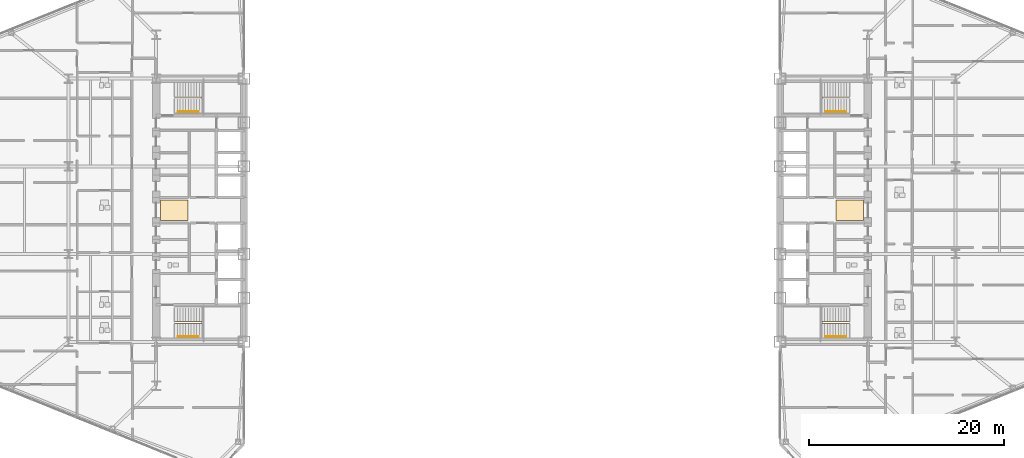
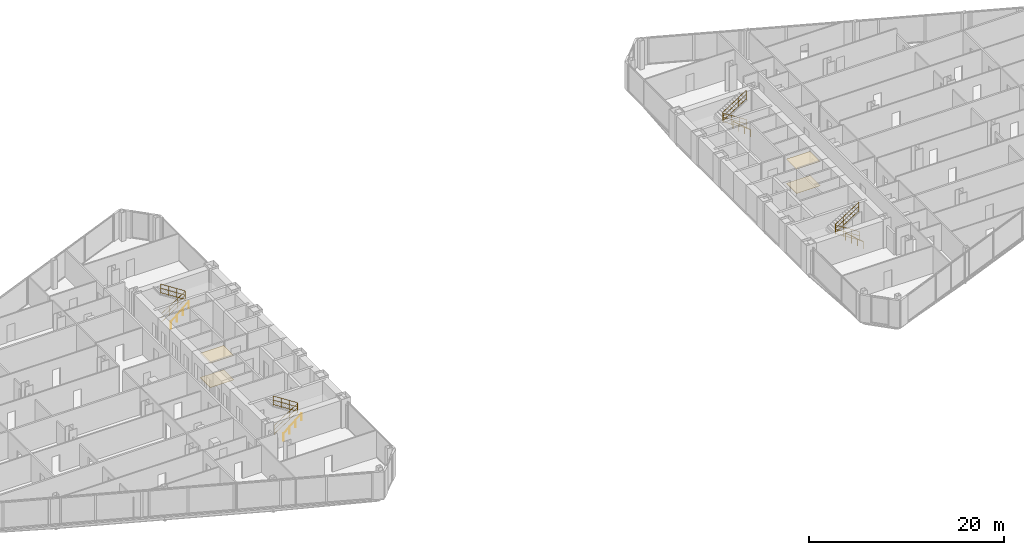
# One storey, part 24 of 25: 8 railings, 4 coverings.
"""IFC4 building model written with IfcOpenShell, lengths in metres."""

from ifc_helpers import new_model, si_unit, direction, frame, origin, origin_2d, place, context, subcontext, project, spatial, polyline, circle, outline, extrude, material, layer, layer_set, type_object, element, save


model = new_model("IFC4")

# Units and contexts
model_context = context("Model", 3, precision=1e-05, world=origin(), true_north=direction((0.0, 1.0)))
body_context = subcontext(model_context, "Body", "Model", "MODEL_VIEW")
ifc_project = project(units=[si_unit("LENGTHUNIT", "METRE"), si_unit("AREAUNIT", "SQUARE_METRE"), si_unit("VOLUMEUNIT", "CUBIC_METRE"), si_unit("PLANEANGLEUNIT", "RADIAN"), si_unit("MASSUNIT", "GRAM", prefix="KILO")], contexts=[model_context])

# Site, building, storey
site_placement = place(None, origin())
site = spatial("IfcSite", under=ifc_project, at=site_placement, CompositionType="ELEMENT")
building_placement = place(site_placement, origin())
building = spatial("IfcBuilding", under=site, at=building_placement, Name="Seokmaru Belvedere", CompositionType="ELEMENT")
storey_placement = place(building_placement, frame((0.0, 0.0, 36.89990234375)))
storey = spatial("IfcBuildingStorey", under=building, at=storey_placement, Name="L09", CompositionType="ELEMENT", Elevation=36.89990234375)

# Coverings
ifc_material_1 = material(Name="Engineered White Oak Timber", Category="wood")
ifc_layer_1 = layer(ifc_material_1, 0.02197265625)
ifc_layer_set_1 = layer_set([ifc_layer_1], Name="Engineered White Oak Timber")
covering_type_1 = type_object("IfcCoveringType", Name="Engineered Oak Residence Floor Finish 22", PredefinedType="FLOORING", material=ifc_layer_set_1)
covering_1_placement = place(storey_placement, origin())
element("IfcCovering", 1, at=covering_1_placement, inside=storey, type_object=covering_type_1, Name="L09 W Foyer Floor Finish", PredefinedType="FLOORING", context=body_context, shape_type="SweptSolid", body=[
    extrude(outline(polyline([(-36.050048828125, -1.050048828125), (-33.25, -1.050048828125), (-33.25, 1.050048828125), (-36.050048828125, 1.050048828125), (-36.050048828125, -1.050048828125)])), origin(), (0.0, 0.0, 1.0), 0.022216796875),
])
covering_2_placement = place(storey_placement, origin())
element("IfcCovering", 2, at=covering_2_placement, inside=storey, type_object=covering_type_1, Name="L09 E Foyer Floor Finish", PredefinedType="FLOORING", context=body_context, shape_type="SweptSolid", body=[
    extrude(outline(polyline([(33.25, -1.050048828125), (36.050048828125, -1.050048828125), (36.050048828125, 1.050048828125), (33.25, 1.050048828125), (33.25, -1.050048828125)])), origin(), (0.0, 0.0, 1.0), 0.022216796875),
])
ifc_material_2 = material(Name="Fire-Rated Gypsum Shaftwall")
ifc_layer_2 = layer(ifc_material_2, 0.02490234375)
ifc_layer_set_2 = layer_set([ifc_layer_2], Name="Fire-Rated Gypsum Shaftwall")
covering_type_2 = type_object("IfcCoveringType", Name="Perforated Acoustic Gypsum Suspended Ceiling 25", PredefinedType="CEILING", material=ifc_layer_set_2)
covering_3_placement = place(storey_placement, frame((0.0, 0.0, 3.030029296875)))
element("IfcCovering", 3, at=covering_3_placement, inside=storey, type_object=covering_type_2, Name="L09 W Lift Foyer Acoustic Ceiling", PredefinedType="CEILING", context=body_context, shape_type="SweptSolid", body=[
    extrude(outline(polyline([(-36.050048828125, -1.050048828125), (-33.25, -1.050048828125), (-33.25, 1.050048828125), (-36.050048828125, 1.050048828125), (-36.050048828125, -1.050048828125)])), origin(), (0.0, 0.0, 1.0), 0.025146484375),
])
covering_4_placement = place(storey_placement, frame((0.0, 0.0, 3.030029296875)))
element("IfcCovering", 4, at=covering_4_placement, inside=storey, type_object=covering_type_2, Name="L09 E Lift Foyer Acoustic Ceiling", PredefinedType="CEILING", context=body_context, shape_type="SweptSolid", body=[
    extrude(outline(polyline([(33.25, -1.050048828125), (36.050048828125, -1.050048828125), (36.050048828125, 1.050048828125), (33.25, 1.050048828125), (33.25, -1.050048828125)])), origin(), (0.0, 0.0, 1.0), 0.025146484375),
])

# Railings
ifc_material_3 = material(Name="Stainless Steel 316", Category="steel")
railing_type_1 = type_object("IfcRailingType", Name="Stainless Steel Wall and Flight Handrail 900", PredefinedType="HANDRAIL", material=ifc_material_3)
for number, where, name in (
    (5, (-34.25, -12.949951171875, 0.0), "L09 Stair ST-W1 Wall Handrail"),
    (6, (-34.25, 10.110107421875, 0.0), "L09 Stair ST-W2 Wall Handrail"),
):
    element("IfcRailing", number, at=place(storey_placement, frame(where)), inside=storey, type_object=railing_type_1, Name=name, PredefinedType="HANDRAIL", context=body_context, shape_type="SweptSolid", body=[
        extrude(circle(Radius=0.02392578125, at=origin_2d()), frame((0.0, 0.0, 0.8759765625), z_axis=(0.759262832861, 0.0, 0.650784104474), x_axis=(0.0, 1.0, 0.0)), (0.0, 0.0, 1.0), 2.765869140625),
        extrude(circle(Radius=0.02099609375, at=origin_2d()), origin(), (0.0, 0.0, 1.0), 0.851806640625),
        extrude(circle(Radius=0.02099609375, at=origin_2d()), frame((0.699951171875, 0.0, 0.60009765625)), (0.0, 0.0, 1.0), 0.851806640625),
        extrude(circle(Radius=0.02099609375, at=origin_2d()), frame((1.400146484375, 0.0, 1.199951171875)), (0.0, 0.0, 1.0), 0.851806640625),
        extrude(circle(Radius=0.02099609375, at=origin_2d()), frame((2.10009765625, 0.0, 1.800048828125)), (0.0, 0.0, 1.0), 0.851806640625),
    ])
for number, where, name in (
    (7, (34.25, -12.949951171875, 0.0), "L09 Stair ST-E1 Wall Handrail"),
    (8, (34.25, 10.110107421875, 0.0), "L09 Stair ST-E2 Wall Handrail"),
):
    element("IfcRailing", number, at=place(storey_placement, frame(where)), inside=storey, type_object=railing_type_1, Name=name, PredefinedType="HANDRAIL", context=body_context, shape_type="SweptSolid", body=[
        extrude(circle(Radius=0.02392578125, at=origin_2d()), frame((0.0, 0.0, 0.8759765625), z_axis=(-0.759262832861, 0.0, 0.650784104474), x_axis=(0.0, -1.0, 0.0)), (0.0, 0.0, 1.0), 2.765869140625),
        extrude(circle(Radius=0.02099609375, at=origin_2d()), origin(), (0.0, 0.0, 1.0), 0.851806640625),
        extrude(circle(Radius=0.02099609375, at=origin_2d()), frame((-0.699951171875, 0.0, 0.60009765625)), (0.0, 0.0, 1.0), 0.851806640625),
        extrude(circle(Radius=0.02099609375, at=origin_2d()), frame((-1.400146484375, 0.0, 1.199951171875)), (0.0, 0.0, 1.0), 0.851806640625),
        extrude(circle(Radius=0.02099609375, at=origin_2d()), frame((-2.10009765625, 0.0, 1.800048828125)), (0.0, 0.0, 1.0), 0.851806640625),
    ])
railing_type_2 = type_object("IfcRailingType", Name="Stair Well and Atrium Steel Guardrail 1200", PredefinedType="GUARDRAIL", material=ifc_material_3)
railing_1_placement = place(storey_placement, frame((-34.60009765625, -11.60009765625, 0.0)))
element("IfcRailing", 9, at=railing_1_placement, inside=storey, type_object=railing_type_2, Name="L09 Stair ST-W1 Inner Well Guardrail", PredefinedType="GUARDRAIL", context=body_context, shape_type="SweptSolid", body=[
    extrude(circle(Radius=0.02392578125, at=origin_2d()), frame((0.0, 0.0, 1.17578125), z_axis=(0.841176092368, 0.0, 0.540761298198), x_axis=(0.0, 1.0, 0.0)), (0.0, 0.0, 1.0), 3.32861328125),
    extrude(circle(Radius=0.02392578125, at=origin_2d()), frame((0.0, 0.0, 0.1201171875), z_axis=(0.841176092368, 0.0, 0.540761298198), x_axis=(0.0, 1.0, 0.0)), (0.0, 0.0, 1.0), 3.32861328125),
    extrude(circle(Radius=0.02392578125, at=origin_2d()), frame((0.0, 0.0, 0.659912109375), z_axis=(0.841176092368, 0.0, 0.540761298198), x_axis=(0.0, 1.0, 0.0)), (0.0, 0.0, 1.0), 3.32861328125),
    extrude(circle(Radius=0.02392578125, at=origin_2d()), frame((2.800048828125, 0.0, 2.97607421875), z_axis=(0.0, 1.0, 0.0), x_axis=(-1.0, 0.0, 0.0)), (0.0, 0.0, 1.0), 0.14013671875),
    extrude(circle(Radius=0.02392578125, at=origin_2d()), frame((2.800048828125, 0.0, 1.920166015625), z_axis=(0.0, 1.0, 0.0), x_axis=(-1.0, 0.0, 0.0)), (0.0, 0.0, 1.0), 0.14013671875),
    extrude(circle(Radius=0.02392578125, at=origin_2d()), frame((2.800048828125, 0.0, 2.4599609375), z_axis=(0.0, 1.0, 0.0), x_axis=(-1.0, 0.0, 0.0)), (0.0, 0.0, 1.0), 0.14013671875),
    extrude(circle(Radius=0.02392578125, at=origin_2d()), frame((2.800048828125, 0.14013671875, 2.97607421875), z_axis=(-0.841176092368, 0.0, 0.540761298198), x_axis=(0.0, -1.0, 0.0)), (0.0, 0.0, 1.0), 3.32861328125),
    extrude(circle(Radius=0.02392578125, at=origin_2d()), frame((2.800048828125, 0.14013671875, 1.920166015625), z_axis=(-0.841176092368, 0.0, 0.540761298198), x_axis=(0.0, -1.0, 0.0)), (0.0, 0.0, 1.0), 3.32861328125),
    extrude(circle(Radius=0.02392578125, at=origin_2d()), frame((2.800048828125, 0.14013671875, 2.4599609375), z_axis=(-0.841176092368, 0.0, 0.540761298198), x_axis=(0.0, -1.0, 0.0)), (0.0, 0.0, 1.0), 3.32861328125),
    extrude(circle(Radius=0.02099609375, at=origin_2d()), origin(), (0.0, 0.0, 1.0), 1.15185546875),
    extrude(circle(Radius=0.02099609375, at=origin_2d()), frame((0.933349609375, 0.0, 0.60009765625)), (0.0, 0.0, 1.0), 1.15185546875),
    extrude(circle(Radius=0.02099609375, at=origin_2d()), frame((1.86669921875, 0.0, 1.199951171875)), (0.0, 0.0, 1.0), 1.15185546875),
    extrude(circle(Radius=0.02099609375, at=origin_2d()), frame((2.800048828125, 0.0, 1.800048828125)), (0.0, 0.0, 1.0), 1.15185546875),
    extrude(circle(Radius=0.02099609375, at=origin_2d()), frame((2.800048828125, 0.14013671875, 1.800048828125)), (0.0, 0.0, 1.0), 1.15185546875),
    extrude(circle(Radius=0.02099609375, at=origin_2d()), frame((1.86669921875, 0.14013671875, 2.400146484375)), (0.0, 0.0, 1.0), 1.15185546875),
    extrude(circle(Radius=0.02099609375, at=origin_2d()), frame((0.933349609375, 0.14013671875, 3.0)), (0.0, 0.0, 1.0), 1.15185546875),
    extrude(circle(Radius=0.02099609375, at=origin_2d()), frame((0.0, 0.14013671875, 3.60009765625)), (0.0, 0.0, 1.0), 1.15185546875),
])
railing_2_placement = place(storey_placement, frame((-34.60009765625, 11.4599609375, 0.0)))
element("IfcRailing", 10, at=railing_2_placement, inside=storey, type_object=railing_type_2, Name="L09 Stair ST-W2 Inner Well Guardrail", PredefinedType="GUARDRAIL", context=body_context, shape_type="SweptSolid", body=[
    extrude(circle(Radius=0.02392578125, at=origin_2d()), frame((0.0, 0.0, 1.17578125), z_axis=(0.841176092368, 0.0, 0.540761298198), x_axis=(0.0, 1.0, 0.0)), (0.0, 0.0, 1.0), 3.32861328125),
    extrude(circle(Radius=0.02392578125, at=origin_2d()), frame((0.0, 0.0, 0.1201171875), z_axis=(0.841176092368, 0.0, 0.540761298198), x_axis=(0.0, 1.0, 0.0)), (0.0, 0.0, 1.0), 3.32861328125),
    extrude(circle(Radius=0.02392578125, at=origin_2d()), frame((0.0, 0.0, 0.659912109375), z_axis=(0.841176092368, 0.0, 0.540761298198), x_axis=(0.0, 1.0, 0.0)), (0.0, 0.0, 1.0), 3.32861328125),
    extrude(circle(Radius=0.02392578125, at=origin_2d()), frame((2.800048828125, 0.0, 2.97607421875), z_axis=(0.0, 1.0, 0.0), x_axis=(-1.0, 0.0, 0.0)), (0.0, 0.0, 1.0), 0.14013671875),
    extrude(circle(Radius=0.02392578125, at=origin_2d()), frame((2.800048828125, 0.0, 1.920166015625), z_axis=(0.0, 1.0, 0.0), x_axis=(-1.0, 0.0, 0.0)), (0.0, 0.0, 1.0), 0.14013671875),
    extrude(circle(Radius=0.02392578125, at=origin_2d()), frame((2.800048828125, 0.0, 2.4599609375), z_axis=(0.0, 1.0, 0.0), x_axis=(-1.0, 0.0, 0.0)), (0.0, 0.0, 1.0), 0.14013671875),
    extrude(circle(Radius=0.02392578125, at=origin_2d()), frame((2.800048828125, 0.14013671875, 2.97607421875), z_axis=(-0.841176092368, 0.0, 0.540761298198), x_axis=(0.0, -1.0, 0.0)), (0.0, 0.0, 1.0), 3.32861328125),
    extrude(circle(Radius=0.02392578125, at=origin_2d()), frame((2.800048828125, 0.14013671875, 1.920166015625), z_axis=(-0.841176092368, 0.0, 0.540761298198), x_axis=(0.0, -1.0, 0.0)), (0.0, 0.0, 1.0), 3.32861328125),
    extrude(circle(Radius=0.02392578125, at=origin_2d()), frame((2.800048828125, 0.14013671875, 2.4599609375), z_axis=(-0.841176092368, 0.0, 0.540761298198), x_axis=(0.0, -1.0, 0.0)), (0.0, 0.0, 1.0), 3.32861328125),
    extrude(circle(Radius=0.02099609375, at=origin_2d()), origin(), (0.0, 0.0, 1.0), 1.15185546875),
    extrude(circle(Radius=0.02099609375, at=origin_2d()), frame((0.933349609375, 0.0, 0.60009765625)), (0.0, 0.0, 1.0), 1.15185546875),
    extrude(circle(Radius=0.02099609375, at=origin_2d()), frame((1.86669921875, 0.0, 1.199951171875)), (0.0, 0.0, 1.0), 1.15185546875),
    extrude(circle(Radius=0.02099609375, at=origin_2d()), frame((2.800048828125, 0.0, 1.800048828125)), (0.0, 0.0, 1.0), 1.15185546875),
    extrude(circle(Radius=0.02099609375, at=origin_2d()), frame((2.800048828125, 0.14013671875, 1.800048828125)), (0.0, 0.0, 1.0), 1.15185546875),
    extrude(circle(Radius=0.02099609375, at=origin_2d()), frame((1.86669921875, 0.14013671875, 2.400146484375)), (0.0, 0.0, 1.0), 1.15185546875),
    extrude(circle(Radius=0.02099609375, at=origin_2d()), frame((0.933349609375, 0.14013671875, 3.0)), (0.0, 0.0, 1.0), 1.15185546875),
    extrude(circle(Radius=0.02099609375, at=origin_2d()), frame((0.0, 0.14013671875, 3.60009765625)), (0.0, 0.0, 1.0), 1.15185546875),
])
railing_3_placement = place(storey_placement, frame((34.60009765625, -11.60009765625, 0.0)))
element("IfcRailing", 11, at=railing_3_placement, inside=storey, type_object=railing_type_2, Name="L09 Stair ST-E1 Inner Well Guardrail", PredefinedType="GUARDRAIL", context=body_context, shape_type="SweptSolid", body=[
    extrude(circle(Radius=0.02392578125, at=origin_2d()), frame((0.0, 0.0, 1.17578125), z_axis=(-0.841176092368, 0.0, 0.540761298198), x_axis=(0.0, -1.0, 0.0)), (0.0, 0.0, 1.0), 3.32861328125),
    extrude(circle(Radius=0.02392578125, at=origin_2d()), frame((0.0, 0.0, 0.1201171875), z_axis=(-0.841176092368, 0.0, 0.540761298198), x_axis=(0.0, -1.0, 0.0)), (0.0, 0.0, 1.0), 3.32861328125),
    extrude(circle(Radius=0.02392578125, at=origin_2d()), frame((0.0, 0.0, 0.659912109375), z_axis=(-0.841176092368, 0.0, 0.540761298198), x_axis=(0.0, -1.0, 0.0)), (0.0, 0.0, 1.0), 3.32861328125),
    extrude(circle(Radius=0.02392578125, at=origin_2d()), frame((-2.800048828125, 0.0, 2.97607421875), z_axis=(0.0, 1.0, 0.0), x_axis=(-1.0, 0.0, 0.0)), (0.0, 0.0, 1.0), 0.14013671875),
    extrude(circle(Radius=0.02392578125, at=origin_2d()), frame((-2.800048828125, 0.0, 1.920166015625), z_axis=(0.0, 1.0, 0.0), x_axis=(-1.0, 0.0, 0.0)), (0.0, 0.0, 1.0), 0.14013671875),
    extrude(circle(Radius=0.02392578125, at=origin_2d()), frame((-2.800048828125, 0.0, 2.4599609375), z_axis=(0.0, 1.0, 0.0), x_axis=(-1.0, 0.0, 0.0)), (0.0, 0.0, 1.0), 0.14013671875),
    extrude(circle(Radius=0.02392578125, at=origin_2d()), frame((-2.800048828125, 0.14013671875, 2.97607421875), z_axis=(0.841176092368, 0.0, 0.540761298198), x_axis=(0.0, 1.0, 0.0)), (0.0, 0.0, 1.0), 3.32861328125),
    extrude(circle(Radius=0.02392578125, at=origin_2d()), frame((-2.800048828125, 0.14013671875, 1.920166015625), z_axis=(0.841176092368, 0.0, 0.540761298198), x_axis=(0.0, 1.0, 0.0)), (0.0, 0.0, 1.0), 3.32861328125),
    extrude(circle(Radius=0.02392578125, at=origin_2d()), frame((-2.800048828125, 0.14013671875, 2.4599609375), z_axis=(0.841176092368, 0.0, 0.540761298198), x_axis=(0.0, 1.0, 0.0)), (0.0, 0.0, 1.0), 3.32861328125),
    extrude(circle(Radius=0.02099609375, at=origin_2d()), origin(), (0.0, 0.0, 1.0), 1.15185546875),
    extrude(circle(Radius=0.02099609375, at=origin_2d()), frame((-0.933349609375, 0.0, 0.60009765625)), (0.0, 0.0, 1.0), 1.15185546875),
    extrude(circle(Radius=0.02099609375, at=origin_2d()), frame((-1.86669921875, 0.0, 1.199951171875)), (0.0, 0.0, 1.0), 1.15185546875),
    extrude(circle(Radius=0.02099609375, at=origin_2d()), frame((-2.800048828125, 0.0, 1.800048828125)), (0.0, 0.0, 1.0), 1.15185546875),
    extrude(circle(Radius=0.02099609375, at=origin_2d()), frame((-2.800048828125, 0.14013671875, 1.800048828125)), (0.0, 0.0, 1.0), 1.15185546875),
    extrude(circle(Radius=0.02099609375, at=origin_2d()), frame((-1.86669921875, 0.14013671875, 2.400146484375)), (0.0, 0.0, 1.0), 1.15185546875),
    extrude(circle(Radius=0.02099609375, at=origin_2d()), frame((-0.933349609375, 0.14013671875, 3.0)), (0.0, 0.0, 1.0), 1.15185546875),
    extrude(circle(Radius=0.02099609375, at=origin_2d()), frame((0.0, 0.14013671875, 3.60009765625)), (0.0, 0.0, 1.0), 1.15185546875),
])
railing_4_placement = place(storey_placement, frame((34.60009765625, 11.4599609375, 0.0)))
element("IfcRailing", 12, at=railing_4_placement, inside=storey, type_object=railing_type_2, Name="L09 Stair ST-E2 Inner Well Guardrail", PredefinedType="GUARDRAIL", context=body_context, shape_type="SweptSolid", body=[
    extrude(circle(Radius=0.02392578125, at=origin_2d()), frame((0.0, 0.0, 1.17578125), z_axis=(-0.841176092368, 0.0, 0.540761298198), x_axis=(0.0, -1.0, 0.0)), (0.0, 0.0, 1.0), 3.32861328125),
    extrude(circle(Radius=0.02392578125, at=origin_2d()), frame((0.0, 0.0, 0.1201171875), z_axis=(-0.841176092368, 0.0, 0.540761298198), x_axis=(0.0, -1.0, 0.0)), (0.0, 0.0, 1.0), 3.32861328125),
    extrude(circle(Radius=0.02392578125, at=origin_2d()), frame((0.0, 0.0, 0.659912109375), z_axis=(-0.841176092368, 0.0, 0.540761298198), x_axis=(0.0, -1.0, 0.0)), (0.0, 0.0, 1.0), 3.32861328125),
    extrude(circle(Radius=0.02392578125, at=origin_2d()), frame((-2.800048828125, 0.0, 2.97607421875), z_axis=(0.0, 1.0, 0.0), x_axis=(-1.0, 0.0, 0.0)), (0.0, 0.0, 1.0), 0.14013671875),
    extrude(circle(Radius=0.02392578125, at=origin_2d()), frame((-2.800048828125, 0.0, 1.920166015625), z_axis=(0.0, 1.0, 0.0), x_axis=(-1.0, 0.0, 0.0)), (0.0, 0.0, 1.0), 0.14013671875),
    extrude(circle(Radius=0.02392578125, at=origin_2d()), frame((-2.800048828125, 0.0, 2.4599609375), z_axis=(0.0, 1.0, 0.0), x_axis=(-1.0, 0.0, 0.0)), (0.0, 0.0, 1.0), 0.14013671875),
    extrude(circle(Radius=0.02392578125, at=origin_2d()), frame((-2.800048828125, 0.14013671875, 2.97607421875), z_axis=(0.841176092368, 0.0, 0.540761298198), x_axis=(0.0, 1.0, 0.0)), (0.0, 0.0, 1.0), 3.32861328125),
    extrude(circle(Radius=0.02392578125, at=origin_2d()), frame((-2.800048828125, 0.14013671875, 1.920166015625), z_axis=(0.841176092368, 0.0, 0.540761298198), x_axis=(0.0, 1.0, 0.0)), (0.0, 0.0, 1.0), 3.32861328125),
    extrude(circle(Radius=0.02392578125, at=origin_2d()), frame((-2.800048828125, 0.14013671875, 2.4599609375), z_axis=(0.841176092368, 0.0, 0.540761298198), x_axis=(0.0, 1.0, 0.0)), (0.0, 0.0, 1.0), 3.32861328125),
    extrude(circle(Radius=0.02099609375, at=origin_2d()), origin(), (0.0, 0.0, 1.0), 1.15185546875),
    extrude(circle(Radius=0.02099609375, at=origin_2d()), frame((-0.933349609375, 0.0, 0.60009765625)), (0.0, 0.0, 1.0), 1.15185546875),
    extrude(circle(Radius=0.02099609375, at=origin_2d()), frame((-1.86669921875, 0.0, 1.199951171875)), (0.0, 0.0, 1.0), 1.15185546875),
    extrude(circle(Radius=0.02099609375, at=origin_2d()), frame((-2.800048828125, 0.0, 1.800048828125)), (0.0, 0.0, 1.0), 1.15185546875),
    extrude(circle(Radius=0.02099609375, at=origin_2d()), frame((-2.800048828125, 0.14013671875, 1.800048828125)), (0.0, 0.0, 1.0), 1.15185546875),
    extrude(circle(Radius=0.02099609375, at=origin_2d()), frame((-1.86669921875, 0.14013671875, 2.400146484375)), (0.0, 0.0, 1.0), 1.15185546875),
    extrude(circle(Radius=0.02099609375, at=origin_2d()), frame((-0.933349609375, 0.14013671875, 3.0)), (0.0, 0.0, 1.0), 1.15185546875),
    extrude(circle(Radius=0.02099609375, at=origin_2d()), frame((0.0, 0.14013671875, 3.60009765625)), (0.0, 0.0, 1.0), 1.15185546875),
])

save(model, "model.ifc")
